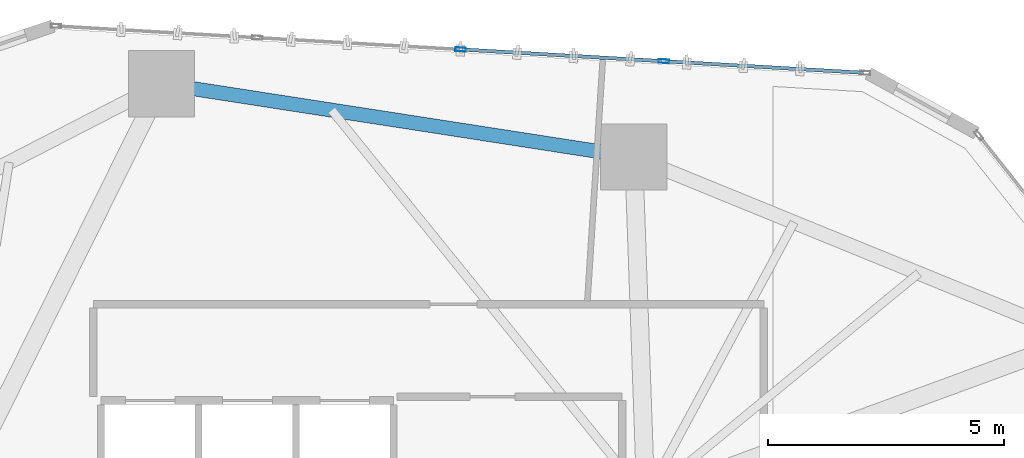
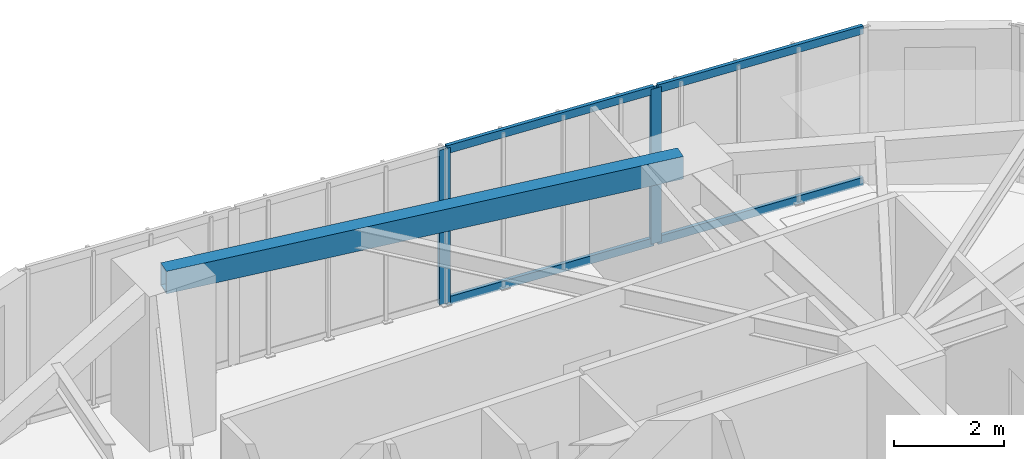
# One storey, part 16 of 24: 6 members, 1 beam, 1 element without a shape of its own.
"""IFC4 building model written with IfcOpenShell, lengths in metres."""

from ifc_helpers import new_model, si_unit, direction, frame, origin, origin_2d, place, context, subcontext, project, spatial, hollow_rectangle, extrude, source, transform, mapped, material, layer, layer_set, material_profile, profile_set, type_object, type_shapes, element, aggregate, save


model = new_model("IFC4")

# Units and contexts
model_context = context("Model", 3, precision=1e-05, world=origin(), true_north=direction((0.0, 1.0)))
body_context = subcontext(model_context, "Body", "Model", "MODEL_VIEW")
ifc_project = project(units=[si_unit("LENGTHUNIT", "METRE"), si_unit("AREAUNIT", "SQUARE_METRE"), si_unit("VOLUMEUNIT", "CUBIC_METRE"), si_unit("PLANEANGLEUNIT", "RADIAN"), si_unit("MASSUNIT", "GRAM", prefix="KILO")], contexts=[model_context])

# Site, building, storey
site_placement = place(None, origin())
site = spatial("IfcSite", under=ifc_project, at=site_placement, CompositionType="ELEMENT")
building_placement = place(site_placement, origin())
building = spatial("IfcBuilding", under=site, at=building_placement, Name="Talar Marvaseh", CompositionType="ELEMENT")
storey_placement = place(building_placement, frame((0.0, 0.0, 81.0)))
storey = spatial("IfcBuildingStorey", under=building, at=storey_placement, Name="L20", CompositionType="ELEMENT", Elevation=81.0)

# Beam
ifc_material_1 = material(Name="Steel S355", Category="steel")
ifc_material_profile_1 = material_profile(ifc_material_1, hollow_rectangle(XDim=0.300048828125, YDim=0.5, WallThickness=0.02001953125, at=origin_2d()), Name="RHS500x300x20")
ifc_profile_set_1 = profile_set([ifc_material_profile_1], Name="Steel S355")
beam_type = type_object("IfcBeamType", Name="Zone 1 Perimeter Spandrel Beam RHS500x300x20", PredefinedType="SPANDREL", material=ifc_profile_set_1)
beam_placement = place(storey_placement, frame((23.047119140625, 45.6669921875, 3.199951171875), z_axis=(0.988210751461, -0.153099675693, 0.0), x_axis=(0.153099675693, 0.988210751461, 0.0)))
element("IfcBeam", 1, at=beam_placement, inside=storey, type_object=beam_type, Name="L20 Zone 1 Perimeter Spandrel Beam RHS500x300x20", PredefinedType="SPANDREL", context=body_context, shape_type="SweptSolid", body=[
    extrude(hollow_rectangle(XDim=0.300048828125, YDim=0.5, WallThickness=0.02001953125, at=origin_2d()), origin(), (0.0, 0.0, 1.0), 10.1181640625),
])

# Curtain wall, members
ifc_material_2 = material(Name="Architectural Aluminium", Category="aluminium")
ifc_layer = layer(ifc_material_2, 0.219970703125)
ifc_layer_set = layer_set([ifc_layer], Name="Architectural Aluminium")
curtain_wall_type = type_object("IfcCurtainWallType", Name="Unitised Low-E Museum Curtain Wall Z1", PredefinedType="NOTDEFINED", material=ifc_layer_set)
curtain_wall_placement = place(storey_placement, origin())
curtain_wall = element("IfcCurtainWall", 2, at=curtain_wall_placement, inside=storey, type_object=curtain_wall_type, Name="L20 Unitised Low-E Museum Curtain Wall Z1", PredefinedType="NOTDEFINED")
ifc_material_profile_2 = material_profile(ifc_material_2, hollow_rectangle(XDim=0.074951171875, YDim=0.179931640625, WallThickness=0.0048828125, at=origin_2d()), Name="RHS180x75x5")
ifc_profile_set_2 = profile_set([ifc_material_profile_2], Name="Architectural Aluminium")
member_type_1 = type_object("IfcMemberType", Name="Unitised Curtain Wall Transom RHS180x75x5", PredefinedType="USERDEFINED", material=ifc_profile_set_2)
shared_shape_1 = source(origin(), body_context, "Body", "SweptSolid", [
    extrude(hollow_rectangle(XDim=0.074951171875, YDim=0.179931640625, WallThickness=0.0048828125, at=origin_2d()), origin(), (0.0, 0.0, 1.0), 4.19189453125),
])
member_1_placement = place(storey_placement, frame((33.72314453125, 46.142333984375, 0.03759765625), z_axis=(0.998326195468, -0.057834310256, 0.0), x_axis=(0.057834310256, 0.998326195468, 0.0)))
member_1 = element("IfcMember", 3, at=member_1_placement, type_object=member_type_1, Name="CW-Z1 transom 4.1", ObjectType="TRANSOM", PredefinedType="USERDEFINED", context=body_context, shape_type="MappedRepresentation", body=[
    mapped(shared_shape_1, transform((0.0, 0.0, 0.0), x_axis=(1.0, 0.0, 0.0), y_axis=(0.0, 1.0, 0.0), z_axis=(0.0, 0.0, 1.0), scale=1.0)),
])
member_2_placement = place(storey_placement, frame((33.72314453125, 46.142333984375, 3.41259765625), z_axis=(0.998326195468, -0.057834310256, 0.0), x_axis=(0.057834310256, 0.998326195468, 0.0)))
member_2 = element("IfcMember", 4, at=member_2_placement, type_object=member_type_1, Name="CW-Z1 transom 4.2", ObjectType="TRANSOM", PredefinedType="USERDEFINED", context=body_context, shape_type="MappedRepresentation", body=[
    mapped(shared_shape_1, transform((0.0, 0.0, 0.0), x_axis=(1.0, 0.0, 0.0), y_axis=(0.0, 1.0, 0.0), z_axis=(0.0, 0.0, 1.0), scale=1.0)),
])
shared_shape_2 = source(origin(), body_context, "Body", "SweptSolid", [
    extrude(hollow_rectangle(XDim=0.074951171875, YDim=0.179931640625, WallThickness=0.0048828125, at=origin_2d()), origin(), (0.0, 0.0, 1.0), 4.23193359375),
])
type_shapes(member_type_1, [shared_shape_1, shared_shape_2])
member_3_placement = place(storey_placement, frame((29.41845703125, 46.39208984375, 0.03759765625), z_axis=(0.998321197881, -0.057920513301, 0.0), x_axis=(0.057920513301, 0.998321197881, 0.0)))
member_3 = element("IfcMember", 5, at=member_3_placement, type_object=member_type_1, Name="CW-Z1 transom 3.1", ObjectType="TRANSOM", PredefinedType="USERDEFINED", context=body_context, shape_type="MappedRepresentation", body=[
    mapped(shared_shape_2, transform((0.0, 0.0, 0.0), x_axis=(1.0, 0.0, 0.0), y_axis=(0.0, 1.0, 0.0), z_axis=(0.0, 0.0, 1.0), scale=1.0)),
])
member_4_placement = place(storey_placement, frame((29.41845703125, 46.39208984375, 3.41259765625), z_axis=(0.998321197881, -0.057920513301, 0.0), x_axis=(0.057920513301, 0.998321197881, 0.0)))
member_4 = element("IfcMember", 6, at=member_4_placement, type_object=member_type_1, Name="CW-Z1 transom 3.2", ObjectType="TRANSOM", PredefinedType="USERDEFINED", context=body_context, shape_type="MappedRepresentation", body=[
    mapped(shared_shape_2, transform((0.0, 0.0, 0.0), x_axis=(1.0, 0.0, 0.0), y_axis=(0.0, 1.0, 0.0), z_axis=(0.0, 0.0, 1.0), scale=1.0)),
])
ifc_material_profile_3 = material_profile(ifc_material_2, hollow_rectangle(XDim=0.080078125, YDim=0.219970703125, WallThickness=0.0048828125, at=origin_2d()), Name="RHS220x80x5")
ifc_profile_set_3 = profile_set([ifc_material_profile_3], Name="Architectural Aluminium")
member_type_2 = type_object("IfcMemberType", Name="Unitised Curtain Wall Heavy Mullion RHS220x80x5", PredefinedType="MULLION", material=ifc_profile_set_3)
shared_shape_3 = source(origin(), body_context, "Body", "SweptSolid", [
    extrude(hollow_rectangle(XDim=0.080078125, YDim=0.219970703125, WallThickness=0.0048828125, at=origin_2d()), origin(), (0.0, 0.0, 1.0), 3.449951171875),
])
type_shapes(member_type_2, [shared_shape_3])
member_5_placement = place(storey_placement, frame((29.37841796875, 46.394287109375, 0.0), z_axis=(0.0, 0.0, 1.0), x_axis=(0.057875021972, 0.998323836153, 0.0)))
member_5 = element("IfcMember", 7, at=member_5_placement, type_object=member_type_2, Name="CW-Z1 mullion 3", PredefinedType="MULLION", context=body_context, shape_type="MappedRepresentation", body=[
    mapped(shared_shape_3, transform((0.0, 0.0, 0.0), x_axis=(1.0, 0.0, 0.0), y_axis=(0.0, 1.0, 0.0), z_axis=(0.0, 0.0, 1.0), scale=1.0)),
])
member_6_placement = place(storey_placement, frame((33.68310546875, 46.144775390625, 0.0), z_axis=(0.0, 0.0, 1.0), x_axis=(0.057875021972, 0.998323836153, 0.0)))
member_6 = element("IfcMember", 8, at=member_6_placement, type_object=member_type_2, Name="CW-Z1 mullion 4", PredefinedType="MULLION", context=body_context, shape_type="MappedRepresentation", body=[
    mapped(shared_shape_3, transform((0.0, 0.0, 0.0), x_axis=(1.0, 0.0, 0.0), y_axis=(0.0, 1.0, 0.0), z_axis=(0.0, 0.0, 1.0), scale=1.0)),
])
aggregate(curtain_wall, [member_5, member_6, member_3, member_4, member_1, member_2])

save(model, "model.ifc")
